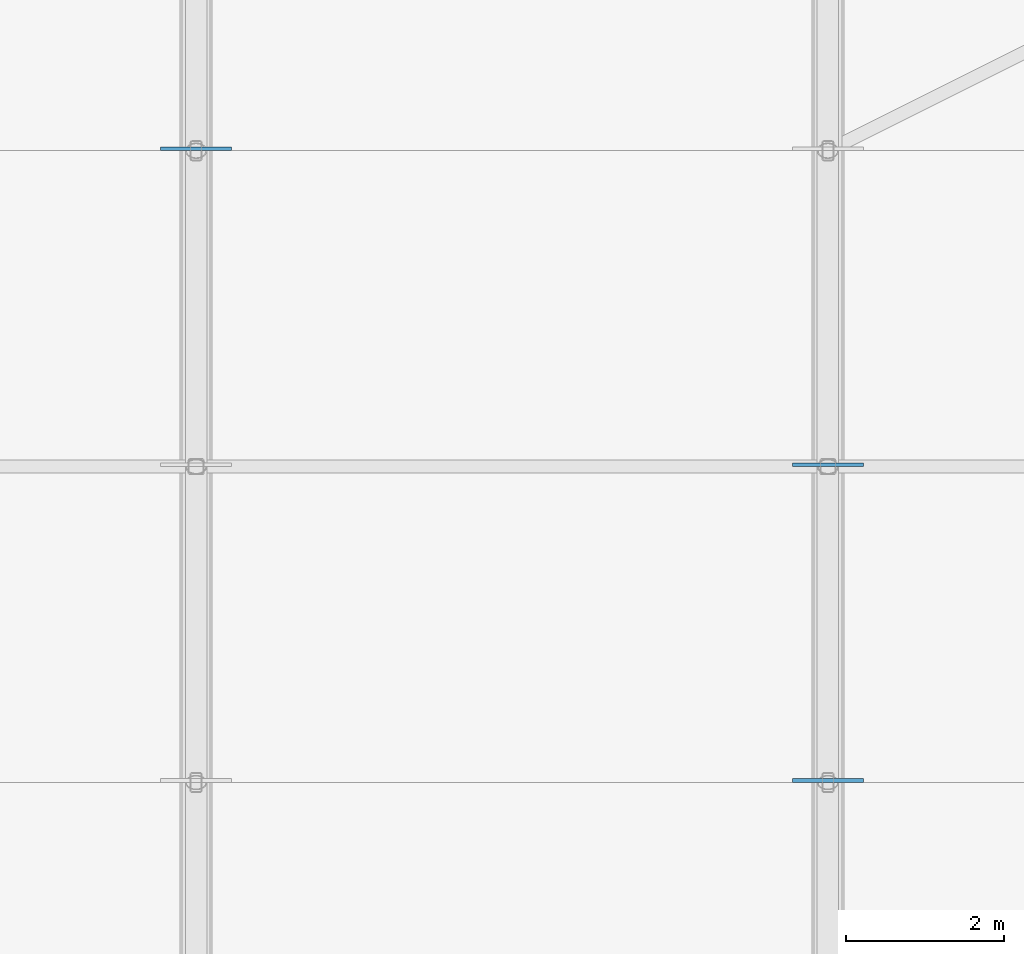
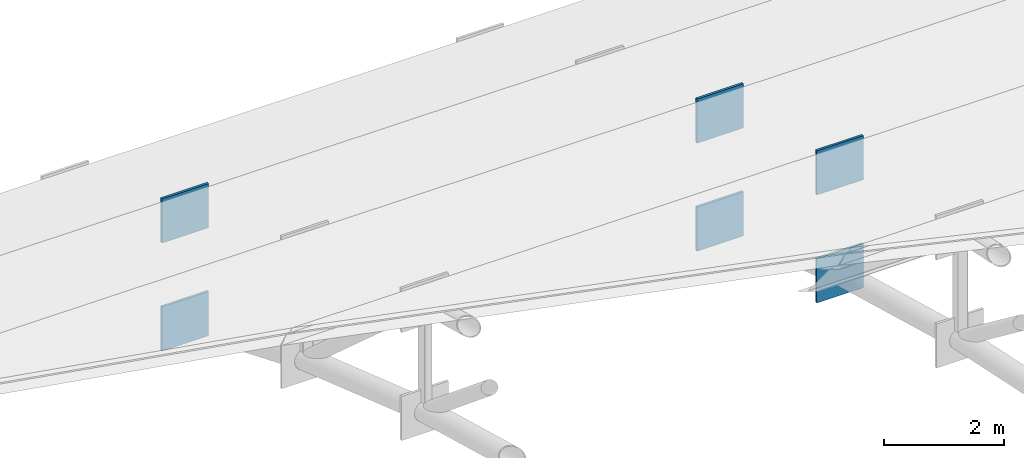
# One storey, part 91 of 98: 6 plates.
"""IFC4 building model written with IfcOpenShell, lengths in metres."""

from ifc_helpers import new_model, si_unit, direction, frame, origin, origin_2d, place, context, subcontext, project, spatial, rectangle, extrude, material, layer, layer_set, type_object, element, save


model = new_model("IFC4")

# Units and contexts
model_context = context("Model", 3, precision=1e-05, world=origin(), true_north=direction((0.0, 1.0)))
body_context = subcontext(model_context, "Body", "Model", "MODEL_VIEW")
ifc_project = project(units=[si_unit("LENGTHUNIT", "METRE"), si_unit("AREAUNIT", "SQUARE_METRE"), si_unit("VOLUMEUNIT", "CUBIC_METRE"), si_unit("PLANEANGLEUNIT", "RADIAN"), si_unit("MASSUNIT", "GRAM", prefix="KILO")], contexts=[model_context])

# Site, building, storey
site_placement = place(None, origin())
site = spatial("IfcSite", under=ifc_project, at=site_placement, CompositionType="ELEMENT")
building_placement = place(site_placement, origin())
building = spatial("IfcBuilding", under=site, at=building_placement, Name="Tlacozan Convention Centre", CompositionType="ELEMENT")
storey_placement = place(building_placement, frame((0.0, 0.0, 25.800048828125)))
storey = spatial("IfcBuildingStorey", under=building, at=storey_placement, Name="Roof", CompositionType="ELEMENT", Elevation=25.800048828125)

# Plates
ifc_material = material(Name="Steel ASTM A572 Grade 50", Category="steel")
ifc_layer = layer(ifc_material, 0.044921875)
ifc_layer_set = layer_set([ifc_layer], Name="Steel ASTM A572 Grade 50")
plate_type = type_object("IfcPlateType", Name="Arch Springing Node Gusset Plate", PredefinedType="SHEET", material=ifc_layer_set)
for number, where, z_axis, x_axis, name in (
    (1, (80.0, 122.0244140625, -9.09228515625), (0.0, 0.0, 1.0), (0.0, 1.0, 0.0), "Roof Gusset Cap Plate 371"),
    (2, (80.0, 122.0244140625, -11.29248046875), (0.0, 0.0, 1.0), (0.0, 1.0, 0.0), "Roof Gusset Cap Plate 372"),
    (3, (88.0, 114.025634765625, -6.064697265625), (0.0, 0.0, 1.0), (0.0, 1.0, 0.0), "Roof Gusset Cap Plate 401"),
    (4, (88.0, 114.025634765625, -8.2646484375), (0.0, 0.0, 1.0), (0.0, 1.0, 0.0), "Roof Gusset Cap Plate 402"),
    (5, (88.0, 118.025146484375, -7.434814453125), (0.0, 0.0, 1.0), (0.0, 1.0, 0.0), "Roof Gusset Cap Plate 403"),
    (6, (88.0, 118.025146484375, -9.634765625), (0.0, 0.0, 1.0), (0.0, 1.0, 0.0), "Roof Gusset Cap Plate 404"),
):
    element("IfcPlate", number, at=place(storey_placement, frame(where, z_axis=z_axis, x_axis=x_axis)), inside=storey, type_object=plate_type, Name=name, PredefinedType="SHEET", context=body_context, shape_type="SweptSolid", body=[
        extrude(rectangle(XDim=0.044921875, YDim=0.89990234375, at=origin_2d()), origin(), (0.0, 0.0, 1.0), 0.89990234375),
    ])

save(model, "model.ifc")
